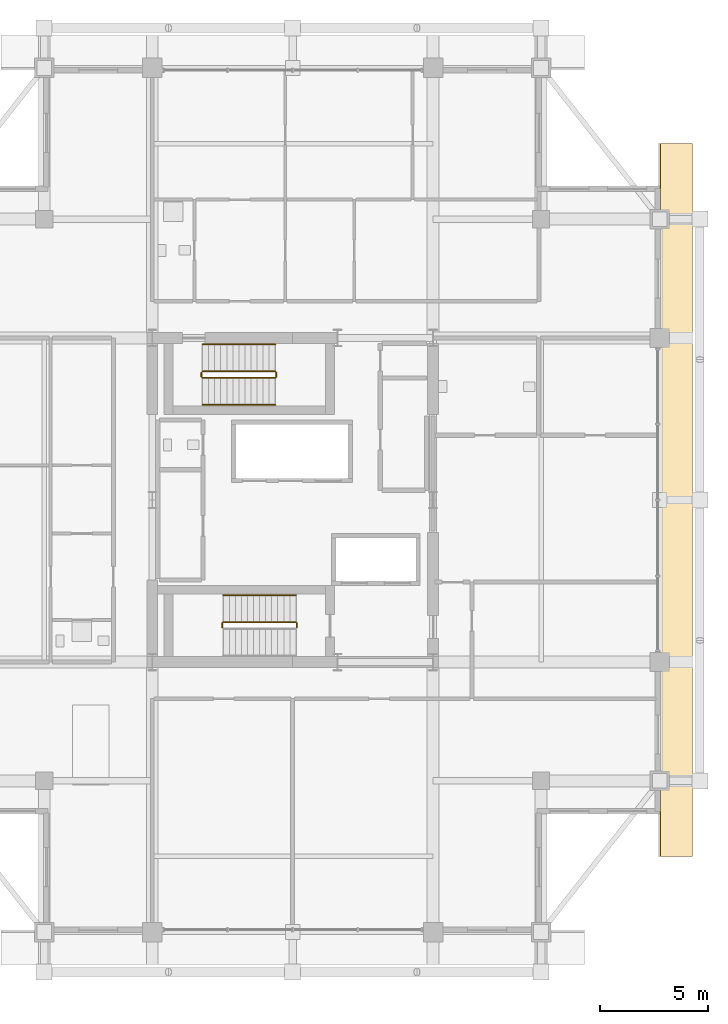
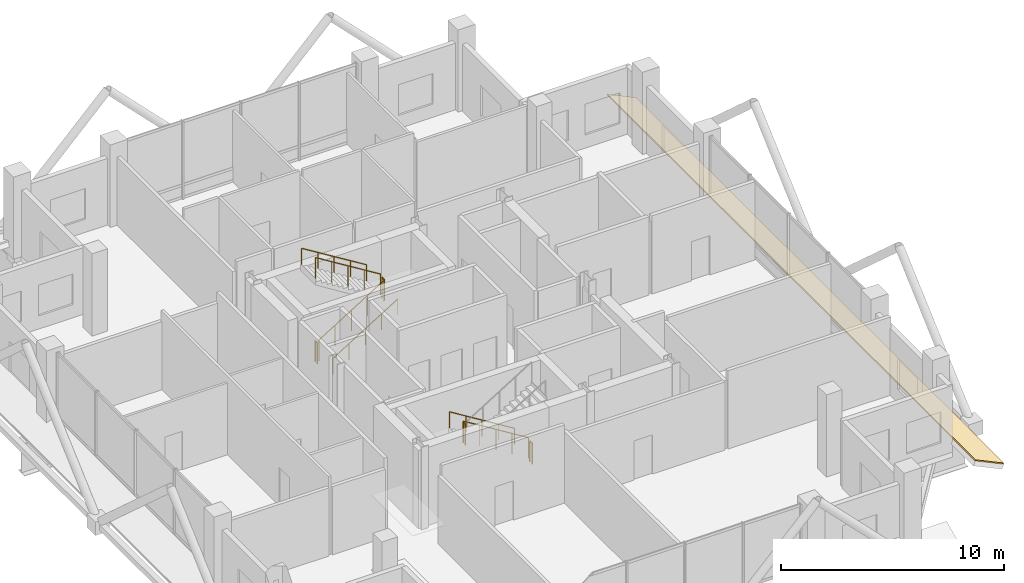
# One storey, part 25 of 27: 10 railings, 1 covering.
"""IFC4 building model written with IfcOpenShell, lengths in metres."""

from ifc_helpers import new_model, si_unit, direction, frame, origin, origin_2d, place, context, subcontext, project, spatial, polyline, circle, outline, extrude, material, layer, layer_set, type_object, element, save


model = new_model("IFC4")

# Units and contexts
model_context = context("Model", 3, precision=1e-05, world=origin(), true_north=direction((0.0, 1.0)))
body_context = subcontext(model_context, "Body", "Model", "MODEL_VIEW")
ifc_project = project(units=[si_unit("LENGTHUNIT", "METRE"), si_unit("AREAUNIT", "SQUARE_METRE"), si_unit("VOLUMEUNIT", "CUBIC_METRE"), si_unit("PLANEANGLEUNIT", "RADIAN"), si_unit("MASSUNIT", "GRAM", prefix="KILO")], contexts=[model_context])

# Site, building, storey
site_placement = place(None, origin())
site = spatial("IfcSite", under=ifc_project, at=site_placement, CompositionType="ELEMENT")
building_placement = place(site_placement, origin())
building = spatial("IfcBuilding", under=site, at=building_placement, Name="Barlavira Tower and Art Museum", CompositionType="ELEMENT")
storey_placement = place(building_placement, frame((0.0, 0.0, 217.800048828125)))
storey = spatial("IfcBuildingStorey", under=building, at=storey_placement, Name="L56", CompositionType="ELEMENT", Elevation=217.800048828125)

# Railings
ifc_material_1 = material(Name="Brushed stainless steel", Category="steel")
railing_type_1 = type_object("IfcRailingType", Name="Interior Void and Landing Guard Railing 1150", PredefinedType="GUARDRAIL", material=ifc_material_1)
railing_1_placement = place(storey_placement, frame((0.14990234375, -5.64990234375, 0.173095703125)))
element("IfcRailing", 1, at=railing_1_placement, inside=storey, type_object=railing_type_1, Name="L56 ST-T1 stair guard 1", PredefinedType="GUARDRAIL", context=body_context, shape_type="SweptSolid", body=[
    extrude(circle(Radius=0.02392578125, at=origin_2d()), frame((0.0, 0.0, 1.1259765625), z_axis=(-0.850606129759, 0.0, 0.525803396734), x_axis=(0.0, -1.0, 0.0)), (0.0, 0.0, 1.0), 3.949951171875),
    extrude(circle(Radius=0.02099609375, at=origin_2d()), origin(), (0.0, 0.0, 1.0), 1.101806640625),
    extrude(circle(Radius=0.02099609375, at=origin_2d()), frame((-0.83984375, 0.0, 0.519287109375)), (0.0, 0.0, 1.0), 1.101806640625),
    extrude(circle(Radius=0.02099609375, at=origin_2d()), frame((-1.679931640625, 0.0, 1.03857421875)), (0.0, 0.0, 1.0), 1.101806640625),
    extrude(circle(Radius=0.02099609375, at=origin_2d()), frame((-2.52001953125, 0.0, 1.5576171875)), (0.0, 0.0, 1.0), 1.101806640625),
    extrude(circle(Radius=0.02099609375, at=origin_2d()), frame((-3.35986328125, 0.0, 2.076904296875)), (0.0, 0.0, 1.0), 1.101806640625),
])
for number, where, name in (
    (2, (-3.260009765625, -5.699951171875, 2.25), "L56 ST-T1 stair guard 2"),
    (3, (0.199951171875, -5.699951171875, 0.0), "L56 ST-T1 stair guard 4"),
):
    element("IfcRailing", number, at=place(storey_placement, frame(where)), inside=storey, type_object=railing_type_1, Name=name, PredefinedType="GUARDRAIL", context=body_context, shape_type="SweptSolid", body=[
        extrude(circle(Radius=0.02392578125, at=origin_2d()), frame((0.0, 0.0, 1.1259765625), z_axis=(0.0, -1.0, 0.0), x_axis=(1.0, 0.0, 0.0)), (0.0, 0.0, 1.0), 0.199951171875),
        extrude(circle(Radius=0.02099609375, at=origin_2d()), origin(), (0.0, 0.0, 1.0), 1.101806640625),
        extrude(circle(Radius=0.02099609375, at=origin_2d()), frame((0.0, -0.199951171875, 0.0)), (0.0, 0.0, 1.0), 1.101806640625),
    ])
railing_2_placement = place(storey_placement, frame((-4.169921875, 5.64990234375, 0.173095703125)))
element("IfcRailing", 4, at=railing_2_placement, inside=storey, type_object=railing_type_1, Name="L56 ST-T2 stair guard 1", PredefinedType="GUARDRAIL", context=body_context, shape_type="SweptSolid", body=[
    extrude(circle(Radius=0.02392578125, at=origin_2d()), frame((0.0, 0.0, 1.1259765625), z_axis=(0.850606129759, 0.0, 0.525803396734), x_axis=(0.0, 1.0, 0.0)), (0.0, 0.0, 1.0), 3.949951171875),
    extrude(circle(Radius=0.02099609375, at=origin_2d()), origin(), (0.0, 0.0, 1.0), 1.101806640625),
    extrude(circle(Radius=0.02099609375, at=origin_2d()), frame((0.83984375, 0.0, 0.519287109375)), (0.0, 0.0, 1.0), 1.101806640625),
    extrude(circle(Radius=0.02099609375, at=origin_2d()), frame((1.679931640625, 0.0, 1.03857421875)), (0.0, 0.0, 1.0), 1.101806640625),
    extrude(circle(Radius=0.02099609375, at=origin_2d()), frame((2.52001953125, 0.0, 1.5576171875)), (0.0, 0.0, 1.0), 1.101806640625),
    extrude(circle(Radius=0.02099609375, at=origin_2d()), frame((3.35986328125, 0.0, 2.076904296875)), (0.0, 0.0, 1.0), 1.101806640625),
])
railing_3_placement = place(storey_placement, frame((-0.760009765625, 5.699951171875, 2.25)))
element("IfcRailing", 5, at=railing_3_placement, inside=storey, type_object=railing_type_1, Name="L56 ST-T2 stair guard 2", PredefinedType="GUARDRAIL", context=body_context, shape_type="SweptSolid", body=[
    extrude(circle(Radius=0.02392578125, at=origin_2d()), frame((0.0, 0.0, 1.1259765625), z_axis=(0.0, 1.0, 0.0), x_axis=(-1.0, 0.0, 0.0)), (0.0, 0.0, 1.0), 0.199951171875),
    extrude(circle(Radius=0.02099609375, at=origin_2d()), origin(), (0.0, 0.0, 1.0), 1.101806640625),
    extrude(circle(Radius=0.02099609375, at=origin_2d()), frame((0.0, 0.199951171875, 0.0)), (0.0, 0.0, 1.0), 1.101806640625),
])
railing_4_placement = place(storey_placement, frame((-0.81005859375, 5.949951171875, 2.423095703125)))
element("IfcRailing", 6, at=railing_4_placement, inside=storey, type_object=railing_type_1, Name="L56 ST-T2 stair guard 3", PredefinedType="GUARDRAIL", context=body_context, shape_type="SweptSolid", body=[
    extrude(circle(Radius=0.02392578125, at=origin_2d()), frame((0.0, 0.0, 1.1259765625), z_axis=(-0.850606129759, 0.0, 0.525803396734), x_axis=(0.0, -1.0, 0.0)), (0.0, 0.0, 1.0), 3.949951171875),
    extrude(circle(Radius=0.02099609375, at=origin_2d()), origin(), (0.0, 0.0, 1.0), 1.101806640625),
    extrude(circle(Radius=0.02099609375, at=origin_2d()), frame((-0.83984375, 0.0, 0.519287109375)), (0.0, 0.0, 1.0), 1.101806640625),
    extrude(circle(Radius=0.02099609375, at=origin_2d()), frame((-1.679931640625, 0.0, 1.03857421875)), (0.0, 0.0, 1.0), 1.101806640625),
    extrude(circle(Radius=0.02099609375, at=origin_2d()), frame((-2.52001953125, 0.0, 1.5576171875)), (0.0, 0.0, 1.0), 1.101806640625),
    extrude(circle(Radius=0.02099609375, at=origin_2d()), frame((-3.35986328125, 0.0, 2.076904296875)), (0.0, 0.0, 1.0), 1.101806640625),
])
railing_5_placement = place(storey_placement, frame((-4.219970703125, 5.699951171875, 0.0)))
element("IfcRailing", 7, at=railing_5_placement, inside=storey, type_object=railing_type_1, Name="L56 ST-T2 stair guard 4", PredefinedType="GUARDRAIL", context=body_context, shape_type="SweptSolid", body=[
    extrude(circle(Radius=0.02392578125, at=origin_2d()), frame((0.0, 0.0, 1.1259765625), z_axis=(0.0, 1.0, 0.0), x_axis=(-1.0, 0.0, 0.0)), (0.0, 0.0, 1.0), 0.199951171875),
    extrude(circle(Radius=0.02099609375, at=origin_2d()), origin(), (0.0, 0.0, 1.0), 1.101806640625),
    extrude(circle(Radius=0.02099609375, at=origin_2d()), frame((0.0, 0.199951171875, 0.0)), (0.0, 0.0, 1.0), 1.101806640625),
])

# Covering
ifc_material_2 = material(Name="Pale anodised aluminium", Category="aluminium")
ifc_layer = layer(ifc_material_2, 0.06005859375, Name="Pale anodised aluminium")
ifc_layer_set = layer_set([ifc_layer], Name="Pale anodised aluminium")
covering_type = type_object("IfcCoveringType", Name="Sloped Roof Standing-Seam Pale-Metal Weathering 60", PredefinedType="ROOFING", material=ifc_layer_set)
covering_placement = place(storey_placement, frame((17.02001953125, -16.5, 0.759521484375), z_axis=(0.42729760809, 0.0, 0.904111029753), x_axis=(0.904111029753, 0.0, -0.42729760809)))
element("IfcCovering", 8, at=covering_placement, inside=storey, type_object=covering_type, Name="L56 E Chisel Step-In Standing-Seam Pale-Metal Roofing", PredefinedType="ROOFING", context=body_context, shape_type="SweptSolid", body=[
    extrude(outline(polyline([(0.0, 0.0), (1.6369454857272892, 0.0), (1.6369454857272892, 33.0), (0.0, 33.0), (0.0, 0.0)])), origin(), (0.0, 0.0, -1.0), 0.06005859375),
])

# Railings
railing_type_2 = type_object("IfcRailingType", Name="Stair Pitch Tubular Steel Handrail 920", PredefinedType="HANDRAIL", material=ifc_material_1)
railing_6_placement = place(storey_placement, frame((0.14990234375, -4.39990234375, 0.173095703125)))
element("IfcRailing", 9, at=railing_6_placement, inside=storey, type_object=railing_type_2, Name="L56 ST-T1 stair handrail 1", PredefinedType="HANDRAIL", context=body_context, shape_type="SweptSolid", body=[
    extrude(circle(Radius=0.02392578125, at=origin_2d()), frame((0.0, 0.0, 0.8759765625), z_axis=(-0.850606129759, 0.0, 0.525803396734), x_axis=(0.0, -1.0, 0.0)), (0.0, 0.0, 1.0), 3.949951171875),
    extrude(circle(Radius=0.02099609375, at=origin_2d()), origin(), (0.0, 0.0, 1.0), 0.851806640625),
    extrude(circle(Radius=0.02099609375, at=origin_2d()), frame((-0.83984375, 0.0, 0.519287109375)), (0.0, 0.0, 1.0), 0.851806640625),
    extrude(circle(Radius=0.02099609375, at=origin_2d()), frame((-1.679931640625, 0.0, 1.03857421875)), (0.0, 0.0, 1.0), 0.851806640625),
    extrude(circle(Radius=0.02099609375, at=origin_2d()), frame((-2.52001953125, 0.0, 1.5576171875)), (0.0, 0.0, 1.0), 0.851806640625),
    extrude(circle(Radius=0.02099609375, at=origin_2d()), frame((-3.35986328125, 0.0, 2.076904296875)), (0.0, 0.0, 1.0), 0.851806640625),
])
railing_7_placement = place(storey_placement, frame((-4.169921875, 4.39990234375, 0.173095703125)))
element("IfcRailing", 10, at=railing_7_placement, inside=storey, type_object=railing_type_2, Name="L56 ST-T2 stair handrail 1", PredefinedType="HANDRAIL", context=body_context, shape_type="SweptSolid", body=[
    extrude(circle(Radius=0.02392578125, at=origin_2d()), frame((0.0, 0.0, 0.8759765625), z_axis=(0.850606129759, 0.0, 0.525803396734), x_axis=(0.0, 1.0, 0.0)), (0.0, 0.0, 1.0), 3.949951171875),
    extrude(circle(Radius=0.02099609375, at=origin_2d()), origin(), (0.0, 0.0, 1.0), 0.851806640625),
    extrude(circle(Radius=0.02099609375, at=origin_2d()), frame((0.83984375, 0.0, 0.519287109375)), (0.0, 0.0, 1.0), 0.851806640625),
    extrude(circle(Radius=0.02099609375, at=origin_2d()), frame((1.679931640625, 0.0, 1.03857421875)), (0.0, 0.0, 1.0), 0.851806640625),
    extrude(circle(Radius=0.02099609375, at=origin_2d()), frame((2.52001953125, 0.0, 1.5576171875)), (0.0, 0.0, 1.0), 0.851806640625),
    extrude(circle(Radius=0.02099609375, at=origin_2d()), frame((3.35986328125, 0.0, 2.076904296875)), (0.0, 0.0, 1.0), 0.851806640625),
])
railing_8_placement = place(storey_placement, frame((-0.81005859375, 7.199951171875, 2.423095703125)))
element("IfcRailing", 11, at=railing_8_placement, inside=storey, type_object=railing_type_2, Name="L56 ST-T2 stair handrail 2", PredefinedType="HANDRAIL", context=body_context, shape_type="SweptSolid", body=[
    extrude(circle(Radius=0.02392578125, at=origin_2d()), frame((0.0, 0.0, 0.8759765625), z_axis=(-0.850606129759, 0.0, 0.525803396734), x_axis=(0.0, -1.0, 0.0)), (0.0, 0.0, 1.0), 3.949951171875),
    extrude(circle(Radius=0.02099609375, at=origin_2d()), origin(), (0.0, 0.0, 1.0), 0.851806640625),
    extrude(circle(Radius=0.02099609375, at=origin_2d()), frame((-0.83984375, 0.0, 0.519287109375)), (0.0, 0.0, 1.0), 0.851806640625),
    extrude(circle(Radius=0.02099609375, at=origin_2d()), frame((-1.679931640625, 0.0, 1.03857421875)), (0.0, 0.0, 1.0), 0.851806640625),
    extrude(circle(Radius=0.02099609375, at=origin_2d()), frame((-2.52001953125, 0.0, 1.5576171875)), (0.0, 0.0, 1.0), 0.851806640625),
    extrude(circle(Radius=0.02099609375, at=origin_2d()), frame((-3.35986328125, 0.0, 2.076904296875)), (0.0, 0.0, 1.0), 0.851806640625),
])

save(model, "model.ifc")
